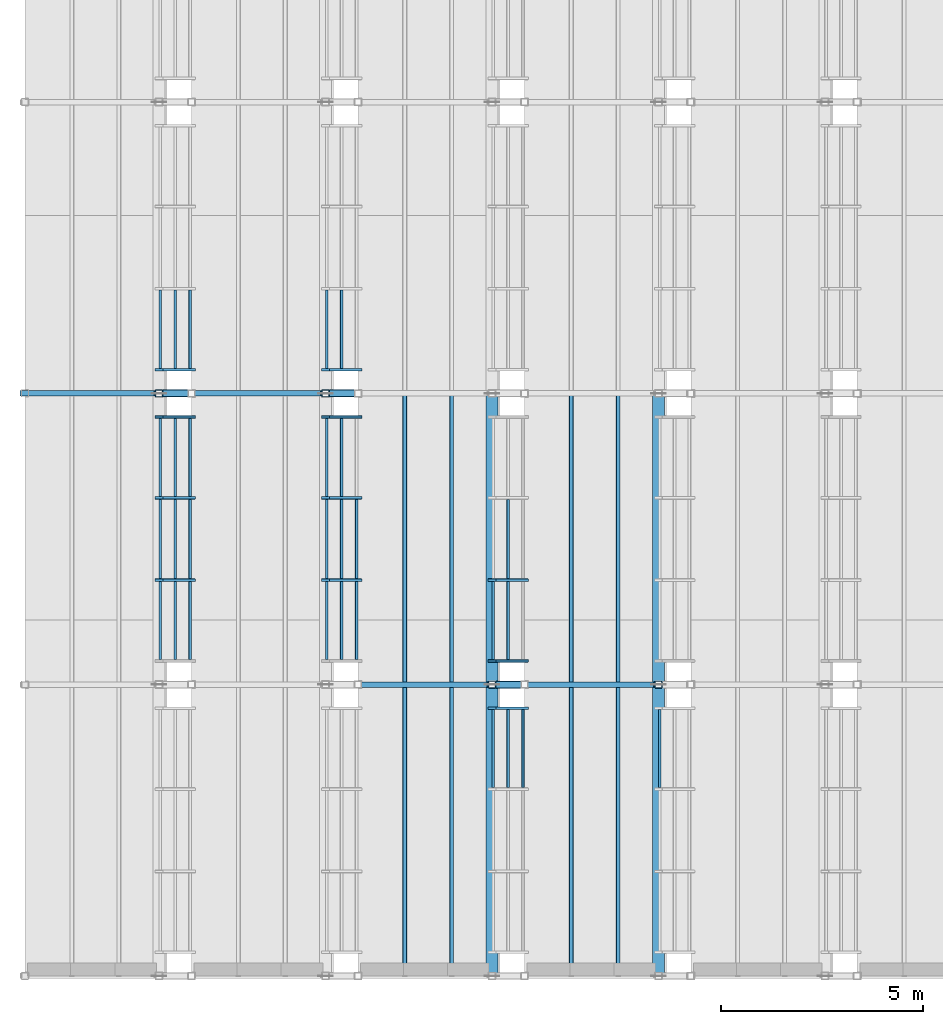
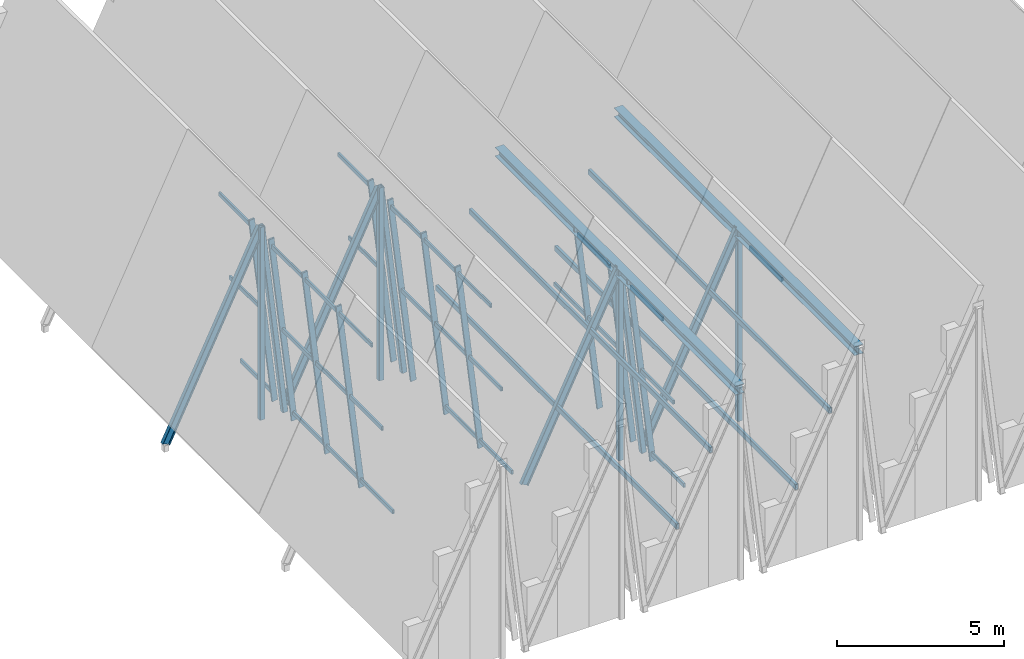
# One storey, part 2 of 28: 55 members, 2 beams, 7 elements without a shape of their own.
"""IFC4 building model written with IfcOpenShell, lengths in metres."""

from ifc_helpers import new_model, si_unit, direction, frame, origin, origin_2d, place, context, subcontext, project, spatial, hollow_rectangle, i_section, extrude, material, material_profile, profile_set, type_object, element, aggregate, save


model = new_model("IFC4")

# Units and contexts
model_context = context("Model", 3, precision=1e-05, world=origin(), true_north=direction((0.0, 1.0)))
body_context = subcontext(model_context, "Body", "Model", "MODEL_VIEW")
ifc_project = project(units=[si_unit("LENGTHUNIT", "METRE"), si_unit("AREAUNIT", "SQUARE_METRE"), si_unit("VOLUMEUNIT", "CUBIC_METRE"), si_unit("PLANEANGLEUNIT", "RADIAN"), si_unit("MASSUNIT", "GRAM", prefix="KILO")], contexts=[model_context])

# Site, building, storey
site_placement = place(None, origin())
site = spatial("IfcSite", under=ifc_project, at=site_placement, CompositionType="ELEMENT")
building_placement = place(site_placement, origin())
building = spatial("IfcBuilding", under=site, at=building_placement, Name="Bramveld Media Centre", CompositionType="ELEMENT")
storey_placement = place(building_placement, frame((0.0, 0.0, 33.89990234375)))
storey = spatial("IfcBuildingStorey", under=building, at=storey_placement, Name="ROOF", CompositionType="ELEMENT", Elevation=33.89990234375)

# Curtain wall, members
ifc_material_1 = material(Name="Thermally broken anodized bronze aluminium unitized curtain wall with solar-control triple glazing", Category="aluminium")
curtain_wall_type = type_object("IfcCurtainWallType", Name="CW-CRN-6100x6941", PredefinedType="NOTDEFINED", material=ifc_material_1)
curtain_wall_1_placement = place(storey_placement, origin())
curtain_wall_1 = element("IfcCurtainWall", 1, at=curtain_wall_1_placement, inside=storey, type_object=curtain_wall_type, Name="V7 crown clerestory B1-S2", PredefinedType="NOTDEFINED")
ifc_material_2 = material(Name="Thermally broken anodized bronze aluminium EN AW-6063 T6 curtain-wall framing", Category="aluminium")
ifc_material_profile_1 = material_profile(ifc_material_2, hollow_rectangle(XDim=0.070068359375, YDim=0.199951171875, WallThickness=0.00439453125, InnerFilletRadius=0.00439453125, OuterFilletRadius=0.009033203125, at=origin_2d()), Name="AL-MULL 70x200")
ifc_profile_set_1 = profile_set([ifc_material_profile_1], Name="Thermally broken anodized bronze aluminium EN AW-6063 T6 curtain-wall framing")
member_type_1 = type_object("IfcMemberType", Name="CW-MULL-SLP", PredefinedType="MULLION", material=ifc_profile_set_1)
member_1_placement = place(storey_placement, frame((135.314208984375, 92.9833984375, -0.02001953125), z_axis=(-0.115228868081, 0.0, 0.993338969315), x_axis=(0.0, -1.0, 0.0)))
member_1 = element("IfcMember", 2, at=member_1_placement, type_object=member_type_1, Name="CW-CR-6169 sloped mullion 2", PredefinedType="MULLION", context=body_context, shape_type="SweptSolid", body=[
    extrude(hollow_rectangle(XDim=0.070068359375, YDim=0.199951171875, WallThickness=0.00439453125, InnerFilletRadius=0.00439453125, OuterFilletRadius=0.009033203125, at=origin_2d()), origin(), (0.0, 0.0, 1.0), 6.94091796875),
])
member_2_placement = place(storey_placement, frame((135.314208984375, 95.0166015625, -0.02001953125), z_axis=(-0.115228868081, 0.0, 0.993338969315), x_axis=(0.0, -1.0, 0.0)))
member_2 = element("IfcMember", 3, at=member_2_placement, type_object=member_type_1, Name="CW-CR-6169 sloped mullion 3", PredefinedType="MULLION", context=body_context, shape_type="SweptSolid", body=[
    extrude(hollow_rectangle(XDim=0.070068359375, YDim=0.199951171875, WallThickness=0.00439453125, InnerFilletRadius=0.00439453125, OuterFilletRadius=0.009033203125, at=origin_2d()), origin(), (0.0, 0.0, 1.0), 6.94091796875),
])
member_3_placement = place(storey_placement, frame((135.314208984375, 97.014892578125, -0.02001953125), z_axis=(-0.115228868081, 0.0, 0.993338969315), x_axis=(0.0, -1.0, 0.0)))
member_3 = element("IfcMember", 4, at=member_3_placement, type_object=member_type_1, Name="CW-CR-6169 sloped mullion 4", PredefinedType="MULLION", context=body_context, shape_type="SweptSolid", body=[
    extrude(hollow_rectangle(XDim=0.070068359375, YDim=0.199951171875, WallThickness=0.00439453125, InnerFilletRadius=0.00439453125, OuterFilletRadius=0.009033203125, at=origin_2d()), origin(), (0.0, 0.0, 1.0), 6.94091796875),
])

# Curtain wall, member
curtain_wall_2_placement = place(storey_placement, origin())
curtain_wall_2 = element("IfcCurtainWall", 5, at=curtain_wall_2_placement, inside=storey, type_object=curtain_wall_type, Name="V7 crown clerestory B1-S3", PredefinedType="NOTDEFINED")
member_4_placement = place(storey_placement, frame((135.314208984375, 98.18505859375, -0.02001953125), z_axis=(-0.115228868081, 0.0, 0.993338969315), x_axis=(0.0, -1.0, 0.0)))
member_4 = element("IfcMember", 6, at=member_4_placement, type_object=member_type_1, Name="CW-CR-6169 sloped mullion 1", PredefinedType="MULLION", context=body_context, shape_type="SweptSolid", body=[
    extrude(hollow_rectangle(XDim=0.070068359375, YDim=0.199951171875, WallThickness=0.00439453125, InnerFilletRadius=0.00439453125, OuterFilletRadius=0.009033203125, at=origin_2d()), origin(), (0.0, 0.0, 1.0), 6.94091796875),
])

# Curtain wall, members
curtain_wall_3_placement = place(storey_placement, origin())
curtain_wall_3 = element("IfcCurtainWall", 7, at=curtain_wall_3_placement, inside=storey, type_object=curtain_wall_type, Name="V7 crown clerestory B2-S2", PredefinedType="NOTDEFINED")
member_5_placement = place(storey_placement, frame((139.4287109375, 92.9833984375, -0.02001953125), z_axis=(-0.115263574492, 0.0, 0.993334942703), x_axis=(0.0, -1.0, 0.0)))
member_5 = element("IfcMember", 8, at=member_5_placement, type_object=member_type_1, Name="CW-CR-6169 sloped mullion 2", PredefinedType="MULLION", context=body_context, shape_type="SweptSolid", body=[
    extrude(hollow_rectangle(XDim=0.070068359375, YDim=0.199951171875, WallThickness=0.00439453125, InnerFilletRadius=0.00439453125, OuterFilletRadius=0.009033203125, at=origin_2d()), origin(), (0.0, 0.0, 1.0), 6.94091796875),
])
member_6_placement = place(storey_placement, frame((139.4287109375, 95.0166015625, -0.02001953125), z_axis=(-0.115263574492, 0.0, 0.993334942703), x_axis=(0.0, -1.0, 0.0)))
member_6 = element("IfcMember", 9, at=member_6_placement, type_object=member_type_1, Name="CW-CR-6169 sloped mullion 3", PredefinedType="MULLION", context=body_context, shape_type="SweptSolid", body=[
    extrude(hollow_rectangle(XDim=0.070068359375, YDim=0.199951171875, WallThickness=0.00439453125, InnerFilletRadius=0.00439453125, OuterFilletRadius=0.009033203125, at=origin_2d()), origin(), (0.0, 0.0, 1.0), 6.94091796875),
])
member_7_placement = place(storey_placement, frame((139.4287109375, 97.014892578125, -0.02001953125), z_axis=(-0.115263574492, 0.0, 0.993334942703), x_axis=(0.0, -1.0, 0.0)))
member_7 = element("IfcMember", 10, at=member_7_placement, type_object=member_type_1, Name="CW-CR-6169 sloped mullion 4", PredefinedType="MULLION", context=body_context, shape_type="SweptSolid", body=[
    extrude(hollow_rectangle(XDim=0.070068359375, YDim=0.199951171875, WallThickness=0.00439453125, InnerFilletRadius=0.00439453125, OuterFilletRadius=0.009033203125, at=origin_2d()), origin(), (0.0, 0.0, 1.0), 6.94091796875),
])

# Curtain wall, member
curtain_wall_4_placement = place(storey_placement, origin())
curtain_wall_4 = element("IfcCurtainWall", 11, at=curtain_wall_4_placement, inside=storey, type_object=curtain_wall_type, Name="V7 crown clerestory B2-S3", PredefinedType="NOTDEFINED")
member_8_placement = place(storey_placement, frame((139.4287109375, 98.18505859375, -0.02001953125), z_axis=(-0.115263574492, 0.0, 0.993334942703), x_axis=(0.0, -1.0, 0.0)))
member_8 = element("IfcMember", 12, at=member_8_placement, type_object=member_type_1, Name="CW-CR-6169 sloped mullion 1", PredefinedType="MULLION", context=body_context, shape_type="SweptSolid", body=[
    extrude(hollow_rectangle(XDim=0.070068359375, YDim=0.199951171875, WallThickness=0.00439453125, InnerFilletRadius=0.00439453125, OuterFilletRadius=0.009033203125, at=origin_2d()), origin(), (0.0, 0.0, 1.0), 6.94091796875),
])

curtain_wall_5_placement = place(storey_placement, origin())
curtain_wall_5 = element("IfcCurtainWall", 13, at=curtain_wall_5_placement, inside=storey, type_object=curtain_wall_type, Name="V7 crown clerestory B3-S1", PredefinedType="NOTDEFINED")
member_9_placement = place(storey_placement, frame((143.54296875, 89.81494140625, -0.02001953125), z_axis=(-0.115263574492, 0.0, 0.993334942703), x_axis=(0.0, -1.0, 0.0)))
member_9 = element("IfcMember", 14, at=member_9_placement, type_object=member_type_1, Name="CW-CR-6169 sloped mullion 4", PredefinedType="MULLION", context=body_context, shape_type="SweptSolid", body=[
    extrude(hollow_rectangle(XDim=0.070068359375, YDim=0.199951171875, WallThickness=0.00439453125, InnerFilletRadius=0.00439453125, OuterFilletRadius=0.009033203125, at=origin_2d()), origin(), (0.0, 0.0, 1.0), 6.94091796875),
])

# Curtain wall, members
curtain_wall_6_placement = place(storey_placement, origin())
curtain_wall_6 = element("IfcCurtainWall", 15, at=curtain_wall_6_placement, inside=storey, type_object=curtain_wall_type, Name="V7 crown clerestory B3-S2", PredefinedType="NOTDEFINED")
member_10_placement = place(storey_placement, frame((143.54296875, 90.985107421875, -0.02001953125), z_axis=(-0.115263574492, 0.0, 0.993334942703), x_axis=(0.0, -1.0, 0.0)))
member_10 = element("IfcMember", 16, at=member_10_placement, type_object=member_type_1, Name="CW-CR-6169 sloped mullion 1", PredefinedType="MULLION", context=body_context, shape_type="SweptSolid", body=[
    extrude(hollow_rectangle(XDim=0.070068359375, YDim=0.199951171875, WallThickness=0.00439453125, InnerFilletRadius=0.00439453125, OuterFilletRadius=0.009033203125, at=origin_2d()), origin(), (0.0, 0.0, 1.0), 6.94091796875),
])
member_11_placement = place(storey_placement, frame((143.54296875, 92.9833984375, -0.02001953125), z_axis=(-0.115263574492, 0.0, 0.993334942703), x_axis=(0.0, -1.0, 0.0)))
member_11 = element("IfcMember", 17, at=member_11_placement, type_object=member_type_1, Name="CW-CR-6169 sloped mullion 2", PredefinedType="MULLION", context=body_context, shape_type="SweptSolid", body=[
    extrude(hollow_rectangle(XDim=0.070068359375, YDim=0.199951171875, WallThickness=0.00439453125, InnerFilletRadius=0.00439453125, OuterFilletRadius=0.009033203125, at=origin_2d()), origin(), (0.0, 0.0, 1.0), 6.94091796875),
])

# Member
ifc_material_3 = material(Name="Thermally broken anodized bronze aluminium EN AW-6063 T6 curtain-wall framing", Category="aluminium")
ifc_material_profile_2 = material_profile(ifc_material_3, hollow_rectangle(XDim=0.070068359375, YDim=0.14990234375, WallThickness=0.00390625, InnerFilletRadius=0.00390625, OuterFilletRadius=0.008056640625, at=origin_2d()), Name="AL-TRAN 70x150")
ifc_profile_set_2 = profile_set([ifc_material_profile_2], Name="Thermally broken anodized bronze aluminium EN AW-6063 T6 curtain-wall framing")
member_type_2 = type_object("IfcMemberType", Name="CW-TRAN-SLP", PredefinedType="USERDEFINED", material=ifc_profile_set_2)
member_12_placement = place(storey_placement, frame((135.2822265625, 91.02001953125, 0.255859375), z_axis=(0.0, 1.0, 0.0), x_axis=(-1.0, 0.0, 0.0)))
member_12 = element("IfcMember", 18, at=member_12_placement, type_object=member_type_2, Name="CW-CR-6169 transom 1.1", ObjectType="TRANSOM", PredefinedType="USERDEFINED", context=body_context, shape_type="SweptSolid", body=[
    extrude(hollow_rectangle(XDim=0.070068359375, YDim=0.14990234375, WallThickness=0.00390625, InnerFilletRadius=0.00390625, OuterFilletRadius=0.008056640625, at=origin_2d()), origin(), (0.0, 0.0, 1.0), 1.92822265625),
])

member_13_placement = place(storey_placement, frame((134.914306640625, 91.02001953125, 3.427490234375), z_axis=(0.0, 1.0, 0.0), x_axis=(-1.0, 0.0, 0.0)))
member_13 = element("IfcMember", 19, at=member_13_placement, type_object=member_type_2, Name="CW-CR-6169 transom 1.2", ObjectType="TRANSOM", PredefinedType="USERDEFINED", context=body_context, shape_type="SweptSolid", body=[
    extrude(hollow_rectangle(XDim=0.070068359375, YDim=0.14990234375, WallThickness=0.00390625, InnerFilletRadius=0.00390625, OuterFilletRadius=0.008056640625, at=origin_2d()), origin(), (0.0, 0.0, 1.0), 1.92822265625),
])

member_14_placement = place(storey_placement, frame((134.54638671875, 91.02001953125, 6.598876953125), z_axis=(0.0, 1.0, 0.0), x_axis=(-1.0, 0.0, 0.0)))
member_14 = element("IfcMember", 20, at=member_14_placement, type_object=member_type_2, Name="CW-CR-6169 transom 1.3", ObjectType="TRANSOM", PredefinedType="USERDEFINED", context=body_context, shape_type="SweptSolid", body=[
    extrude(hollow_rectangle(XDim=0.070068359375, YDim=0.14990234375, WallThickness=0.00390625, InnerFilletRadius=0.00390625, OuterFilletRadius=0.008056640625, at=origin_2d()), origin(), (0.0, 0.0, 1.0), 1.92822265625),
])

member_15_placement = place(storey_placement, frame((135.2822265625, 93.018310546875, 0.255859375), z_axis=(0.0, 1.0, 0.0), x_axis=(-1.0, 0.0, 0.0)))
member_15 = element("IfcMember", 21, at=member_15_placement, type_object=member_type_2, Name="CW-CR-6169 transom 2.1", ObjectType="TRANSOM", PredefinedType="USERDEFINED", context=body_context, shape_type="SweptSolid", body=[
    extrude(hollow_rectangle(XDim=0.070068359375, YDim=0.14990234375, WallThickness=0.00390625, InnerFilletRadius=0.00390625, OuterFilletRadius=0.008056640625, at=origin_2d()), origin(), (0.0, 0.0, 1.0), 1.96337890625),
])

member_16_placement = place(storey_placement, frame((134.914306640625, 93.018310546875, 3.427490234375), z_axis=(0.0, 1.0, 0.0), x_axis=(-1.0, 0.0, 0.0)))
member_16 = element("IfcMember", 22, at=member_16_placement, type_object=member_type_2, Name="CW-CR-6169 transom 2.2", ObjectType="TRANSOM", PredefinedType="USERDEFINED", context=body_context, shape_type="SweptSolid", body=[
    extrude(hollow_rectangle(XDim=0.070068359375, YDim=0.14990234375, WallThickness=0.00390625, InnerFilletRadius=0.00390625, OuterFilletRadius=0.008056640625, at=origin_2d()), origin(), (0.0, 0.0, 1.0), 1.96337890625),
])

member_17_placement = place(storey_placement, frame((134.54638671875, 93.018310546875, 6.598876953125), z_axis=(0.0, 1.0, 0.0), x_axis=(-1.0, 0.0, 0.0)))
member_17 = element("IfcMember", 23, at=member_17_placement, type_object=member_type_2, Name="CW-CR-6169 transom 2.3", ObjectType="TRANSOM", PredefinedType="USERDEFINED", context=body_context, shape_type="SweptSolid", body=[
    extrude(hollow_rectangle(XDim=0.070068359375, YDim=0.14990234375, WallThickness=0.00390625, InnerFilletRadius=0.00390625, OuterFilletRadius=0.008056640625, at=origin_2d()), origin(), (0.0, 0.0, 1.0), 1.96337890625),
])

member_18_placement = place(storey_placement, frame((135.2822265625, 95.0517578125, 0.255859375), z_axis=(0.0, 1.0, 0.0), x_axis=(-1.0, 0.0, 0.0)))
member_18 = element("IfcMember", 24, at=member_18_placement, type_object=member_type_2, Name="CW-CR-6169 transom 3.1", ObjectType="TRANSOM", PredefinedType="USERDEFINED", context=body_context, shape_type="SweptSolid", body=[
    extrude(hollow_rectangle(XDim=0.070068359375, YDim=0.14990234375, WallThickness=0.00390625, InnerFilletRadius=0.00390625, OuterFilletRadius=0.008056640625, at=origin_2d()), origin(), (0.0, 0.0, 1.0), 1.92822265625),
])

member_19_placement = place(storey_placement, frame((134.914306640625, 95.0517578125, 3.427490234375), z_axis=(0.0, 1.0, 0.0), x_axis=(-1.0, 0.0, 0.0)))
member_19 = element("IfcMember", 25, at=member_19_placement, type_object=member_type_2, Name="CW-CR-6169 transom 3.2", ObjectType="TRANSOM", PredefinedType="USERDEFINED", context=body_context, shape_type="SweptSolid", body=[
    extrude(hollow_rectangle(XDim=0.070068359375, YDim=0.14990234375, WallThickness=0.00390625, InnerFilletRadius=0.00390625, OuterFilletRadius=0.008056640625, at=origin_2d()), origin(), (0.0, 0.0, 1.0), 1.92822265625),
])

member_20_placement = place(storey_placement, frame((134.54638671875, 95.0517578125, 6.598876953125), z_axis=(0.0, 1.0, 0.0), x_axis=(-1.0, 0.0, 0.0)))
member_20 = element("IfcMember", 26, at=member_20_placement, type_object=member_type_2, Name="CW-CR-6169 transom 3.3", ObjectType="TRANSOM", PredefinedType="USERDEFINED", context=body_context, shape_type="SweptSolid", body=[
    extrude(hollow_rectangle(XDim=0.070068359375, YDim=0.14990234375, WallThickness=0.00390625, InnerFilletRadius=0.00390625, OuterFilletRadius=0.008056640625, at=origin_2d()), origin(), (0.0, 0.0, 1.0), 1.92822265625),
])

aggregate(curtain_wall_1, [member_1, member_2, member_3, member_12, member_13, member_14, member_15, member_16, member_17, member_18, member_19, member_20])

member_21_placement = place(storey_placement, frame((135.2822265625, 98.219970703125, 0.255859375), z_axis=(0.0, 1.0, 0.0), x_axis=(-1.0, 0.0, 0.0)))
member_21 = element("IfcMember", 27, at=member_21_placement, type_object=member_type_2, Name="CW-CR-6169 transom 1.1", ObjectType="TRANSOM", PredefinedType="USERDEFINED", context=body_context, shape_type="SweptSolid", body=[
    extrude(hollow_rectangle(XDim=0.070068359375, YDim=0.14990234375, WallThickness=0.00390625, InnerFilletRadius=0.00390625, OuterFilletRadius=0.008056640625, at=origin_2d()), origin(), (0.0, 0.0, 1.0), 1.92822265625),
])

member_22_placement = place(storey_placement, frame((134.914306640625, 98.219970703125, 3.427490234375), z_axis=(0.0, 1.0, 0.0), x_axis=(-1.0, 0.0, 0.0)))
member_22 = element("IfcMember", 28, at=member_22_placement, type_object=member_type_2, Name="CW-CR-6169 transom 1.2", ObjectType="TRANSOM", PredefinedType="USERDEFINED", context=body_context, shape_type="SweptSolid", body=[
    extrude(hollow_rectangle(XDim=0.070068359375, YDim=0.14990234375, WallThickness=0.00390625, InnerFilletRadius=0.00390625, OuterFilletRadius=0.008056640625, at=origin_2d()), origin(), (0.0, 0.0, 1.0), 1.92822265625),
])

member_23_placement = place(storey_placement, frame((134.54638671875, 98.219970703125, 6.598876953125), z_axis=(0.0, 1.0, 0.0), x_axis=(-1.0, 0.0, 0.0)))
member_23 = element("IfcMember", 29, at=member_23_placement, type_object=member_type_2, Name="CW-CR-6169 transom 1.3", ObjectType="TRANSOM", PredefinedType="USERDEFINED", context=body_context, shape_type="SweptSolid", body=[
    extrude(hollow_rectangle(XDim=0.070068359375, YDim=0.14990234375, WallThickness=0.00390625, InnerFilletRadius=0.00390625, OuterFilletRadius=0.008056640625, at=origin_2d()), origin(), (0.0, 0.0, 1.0), 1.92822265625),
])

aggregate(curtain_wall_2, [member_4, member_21, member_22, member_23])

member_24_placement = place(storey_placement, frame((139.396484375, 91.02001953125, 0.255859375), z_axis=(0.0, 1.0, 0.0), x_axis=(-1.0, 0.0, 0.0)))
member_24 = element("IfcMember", 30, at=member_24_placement, type_object=member_type_2, Name="CW-CR-6169 transom 1.1", ObjectType="TRANSOM", PredefinedType="USERDEFINED", context=body_context, shape_type="SweptSolid", body=[
    extrude(hollow_rectangle(XDim=0.070068359375, YDim=0.14990234375, WallThickness=0.00390625, InnerFilletRadius=0.00390625, OuterFilletRadius=0.008056640625, at=origin_2d()), origin(), (0.0, 0.0, 1.0), 1.92822265625),
])

member_25_placement = place(storey_placement, frame((139.028564453125, 91.02001953125, 3.427490234375), z_axis=(0.0, 1.0, 0.0), x_axis=(-1.0, 0.0, 0.0)))
member_25 = element("IfcMember", 31, at=member_25_placement, type_object=member_type_2, Name="CW-CR-6169 transom 1.2", ObjectType="TRANSOM", PredefinedType="USERDEFINED", context=body_context, shape_type="SweptSolid", body=[
    extrude(hollow_rectangle(XDim=0.070068359375, YDim=0.14990234375, WallThickness=0.00390625, InnerFilletRadius=0.00390625, OuterFilletRadius=0.008056640625, at=origin_2d()), origin(), (0.0, 0.0, 1.0), 1.92822265625),
])

member_26_placement = place(storey_placement, frame((138.66064453125, 91.02001953125, 6.598876953125), z_axis=(0.0, 1.0, 0.0), x_axis=(-1.0, 0.0, 0.0)))
member_26 = element("IfcMember", 32, at=member_26_placement, type_object=member_type_2, Name="CW-CR-6169 transom 1.3", ObjectType="TRANSOM", PredefinedType="USERDEFINED", context=body_context, shape_type="SweptSolid", body=[
    extrude(hollow_rectangle(XDim=0.070068359375, YDim=0.14990234375, WallThickness=0.00390625, InnerFilletRadius=0.00390625, OuterFilletRadius=0.008056640625, at=origin_2d()), origin(), (0.0, 0.0, 1.0), 1.92822265625),
])

member_27_placement = place(storey_placement, frame((139.396484375, 93.018310546875, 0.255859375), z_axis=(0.0, 1.0, 0.0), x_axis=(-1.0, 0.0, 0.0)))
member_27 = element("IfcMember", 33, at=member_27_placement, type_object=member_type_2, Name="CW-CR-6169 transom 2.1", ObjectType="TRANSOM", PredefinedType="USERDEFINED", context=body_context, shape_type="SweptSolid", body=[
    extrude(hollow_rectangle(XDim=0.070068359375, YDim=0.14990234375, WallThickness=0.00390625, InnerFilletRadius=0.00390625, OuterFilletRadius=0.008056640625, at=origin_2d()), origin(), (0.0, 0.0, 1.0), 1.96337890625),
])

member_28_placement = place(storey_placement, frame((139.028564453125, 93.018310546875, 3.427490234375), z_axis=(0.0, 1.0, 0.0), x_axis=(-1.0, 0.0, 0.0)))
member_28 = element("IfcMember", 34, at=member_28_placement, type_object=member_type_2, Name="CW-CR-6169 transom 2.2", ObjectType="TRANSOM", PredefinedType="USERDEFINED", context=body_context, shape_type="SweptSolid", body=[
    extrude(hollow_rectangle(XDim=0.070068359375, YDim=0.14990234375, WallThickness=0.00390625, InnerFilletRadius=0.00390625, OuterFilletRadius=0.008056640625, at=origin_2d()), origin(), (0.0, 0.0, 1.0), 1.96337890625),
])

member_29_placement = place(storey_placement, frame((138.66064453125, 93.018310546875, 6.598876953125), z_axis=(0.0, 1.0, 0.0), x_axis=(-1.0, 0.0, 0.0)))
member_29 = element("IfcMember", 35, at=member_29_placement, type_object=member_type_2, Name="CW-CR-6169 transom 2.3", ObjectType="TRANSOM", PredefinedType="USERDEFINED", context=body_context, shape_type="SweptSolid", body=[
    extrude(hollow_rectangle(XDim=0.070068359375, YDim=0.14990234375, WallThickness=0.00390625, InnerFilletRadius=0.00390625, OuterFilletRadius=0.008056640625, at=origin_2d()), origin(), (0.0, 0.0, 1.0), 1.96337890625),
])

member_30_placement = place(storey_placement, frame((139.028564453125, 95.0517578125, 3.427490234375), z_axis=(0.0, 1.0, 0.0), x_axis=(-1.0, 0.0, 0.0)))
member_30 = element("IfcMember", 36, at=member_30_placement, type_object=member_type_2, Name="CW-CR-6169 transom 3.2", ObjectType="TRANSOM", PredefinedType="USERDEFINED", context=body_context, shape_type="SweptSolid", body=[
    extrude(hollow_rectangle(XDim=0.070068359375, YDim=0.14990234375, WallThickness=0.00390625, InnerFilletRadius=0.00390625, OuterFilletRadius=0.008056640625, at=origin_2d()), origin(), (0.0, 0.0, 1.0), 1.92822265625),
])

member_31_placement = place(storey_placement, frame((138.66064453125, 95.0517578125, 6.598876953125), z_axis=(0.0, 1.0, 0.0), x_axis=(-1.0, 0.0, 0.0)))
member_31 = element("IfcMember", 37, at=member_31_placement, type_object=member_type_2, Name="CW-CR-6169 transom 3.3", ObjectType="TRANSOM", PredefinedType="USERDEFINED", context=body_context, shape_type="SweptSolid", body=[
    extrude(hollow_rectangle(XDim=0.070068359375, YDim=0.14990234375, WallThickness=0.00390625, InnerFilletRadius=0.00390625, OuterFilletRadius=0.008056640625, at=origin_2d()), origin(), (0.0, 0.0, 1.0), 1.92822265625),
])

aggregate(curtain_wall_3, [member_5, member_6, member_7, member_24, member_25, member_26, member_27, member_28, member_29, member_30, member_31])

member_32_placement = place(storey_placement, frame((139.028564453125, 98.219970703125, 3.427490234375), z_axis=(0.0, 1.0, 0.0), x_axis=(-1.0, 0.0, 0.0)))
member_32 = element("IfcMember", 38, at=member_32_placement, type_object=member_type_2, Name="CW-CR-6169 transom 1.2", ObjectType="TRANSOM", PredefinedType="USERDEFINED", context=body_context, shape_type="SweptSolid", body=[
    extrude(hollow_rectangle(XDim=0.070068359375, YDim=0.14990234375, WallThickness=0.00390625, InnerFilletRadius=0.00390625, OuterFilletRadius=0.008056640625, at=origin_2d()), origin(), (0.0, 0.0, 1.0), 1.92822265625),
])

member_33_placement = place(storey_placement, frame((138.66064453125, 98.219970703125, 6.598876953125), z_axis=(0.0, 1.0, 0.0), x_axis=(-1.0, 0.0, 0.0)))
member_33 = element("IfcMember", 39, at=member_33_placement, type_object=member_type_2, Name="CW-CR-6169 transom 1.3", ObjectType="TRANSOM", PredefinedType="USERDEFINED", context=body_context, shape_type="SweptSolid", body=[
    extrude(hollow_rectangle(XDim=0.070068359375, YDim=0.14990234375, WallThickness=0.00390625, InnerFilletRadius=0.00390625, OuterFilletRadius=0.008056640625, at=origin_2d()), origin(), (0.0, 0.0, 1.0), 1.92822265625),
])

aggregate(curtain_wall_4, [member_8, member_32, member_33])

member_34_placement = place(storey_placement, frame((143.510986328125, 87.851806640625, 0.255859375), z_axis=(0.0, 1.0, 0.0), x_axis=(-1.0, 0.0, 0.0)))
member_34 = element("IfcMember", 40, at=member_34_placement, type_object=member_type_2, Name="CW-CR-6169 transom 3.1", ObjectType="TRANSOM", PredefinedType="USERDEFINED", context=body_context, shape_type="SweptSolid", body=[
    extrude(hollow_rectangle(XDim=0.070068359375, YDim=0.14990234375, WallThickness=0.00390625, InnerFilletRadius=0.00390625, OuterFilletRadius=0.008056640625, at=origin_2d()), origin(), (0.0, 0.0, 1.0), 1.92822265625),
])

member_35_placement = place(storey_placement, frame((143.142822265625, 87.851806640625, 3.427490234375), z_axis=(0.0, 1.0, 0.0), x_axis=(-1.0, 0.0, 0.0)))
member_35 = element("IfcMember", 41, at=member_35_placement, type_object=member_type_2, Name="CW-CR-6169 transom 3.2", ObjectType="TRANSOM", PredefinedType="USERDEFINED", context=body_context, shape_type="SweptSolid", body=[
    extrude(hollow_rectangle(XDim=0.070068359375, YDim=0.14990234375, WallThickness=0.00390625, InnerFilletRadius=0.00390625, OuterFilletRadius=0.008056640625, at=origin_2d()), origin(), (0.0, 0.0, 1.0), 1.92822265625),
])

member_36_placement = place(storey_placement, frame((142.77490234375, 87.851806640625, 6.598876953125), z_axis=(0.0, 1.0, 0.0), x_axis=(-1.0, 0.0, 0.0)))
member_36 = element("IfcMember", 42, at=member_36_placement, type_object=member_type_2, Name="CW-CR-6169 transom 3.3", ObjectType="TRANSOM", PredefinedType="USERDEFINED", context=body_context, shape_type="SweptSolid", body=[
    extrude(hollow_rectangle(XDim=0.070068359375, YDim=0.14990234375, WallThickness=0.00390625, InnerFilletRadius=0.00390625, OuterFilletRadius=0.008056640625, at=origin_2d()), origin(), (0.0, 0.0, 1.0), 1.92822265625),
])

aggregate(curtain_wall_5, [member_9, member_34, member_35, member_36])

member_37_placement = place(storey_placement, frame((143.142822265625, 91.02001953125, 3.427490234375), z_axis=(0.0, 1.0, 0.0), x_axis=(-1.0, 0.0, 0.0)))
member_37 = element("IfcMember", 43, at=member_37_placement, type_object=member_type_2, Name="CW-CR-6169 transom 1.2", ObjectType="TRANSOM", PredefinedType="USERDEFINED", context=body_context, shape_type="SweptSolid", body=[
    extrude(hollow_rectangle(XDim=0.070068359375, YDim=0.14990234375, WallThickness=0.00390625, InnerFilletRadius=0.00390625, OuterFilletRadius=0.008056640625, at=origin_2d()), origin(), (0.0, 0.0, 1.0), 1.92822265625),
])

member_38_placement = place(storey_placement, frame((142.77490234375, 91.02001953125, 6.598876953125), z_axis=(0.0, 1.0, 0.0), x_axis=(-1.0, 0.0, 0.0)))
member_38 = element("IfcMember", 44, at=member_38_placement, type_object=member_type_2, Name="CW-CR-6169 transom 1.3", ObjectType="TRANSOM", PredefinedType="USERDEFINED", context=body_context, shape_type="SweptSolid", body=[
    extrude(hollow_rectangle(XDim=0.070068359375, YDim=0.14990234375, WallThickness=0.00390625, InnerFilletRadius=0.00390625, OuterFilletRadius=0.008056640625, at=origin_2d()), origin(), (0.0, 0.0, 1.0), 1.92822265625),
])

member_39_placement = place(storey_placement, frame((143.142822265625, 93.018310546875, 3.427490234375), z_axis=(0.0, 1.0, 0.0), x_axis=(-1.0, 0.0, 0.0)))
member_39 = element("IfcMember", 45, at=member_39_placement, type_object=member_type_2, Name="CW-CR-6169 transom 2.2", ObjectType="TRANSOM", PredefinedType="USERDEFINED", context=body_context, shape_type="SweptSolid", body=[
    extrude(hollow_rectangle(XDim=0.070068359375, YDim=0.14990234375, WallThickness=0.00390625, InnerFilletRadius=0.00390625, OuterFilletRadius=0.008056640625, at=origin_2d()), origin(), (0.0, 0.0, 1.0), 1.96337890625),
])

aggregate(curtain_wall_6, [member_10, member_11, member_37, member_38, member_39])

# Curtain wall, member
curtain_wall_7_placement = place(storey_placement, origin())
curtain_wall_7 = element("IfcCurtainWall", 46, at=curtain_wall_7_placement, inside=storey, type_object=curtain_wall_type, Name="V7 crown clerestory B4-S1", PredefinedType="NOTDEFINED")
member_40_placement = place(storey_placement, frame((146.88916015625, 87.851806640625, 6.598876953125), z_axis=(0.0, 1.0, 0.0), x_axis=(-1.0, 0.0, 0.0)))
member_40 = element("IfcMember", 47, at=member_40_placement, type_object=member_type_2, Name="CW-CR-6169 transom 3.3", ObjectType="TRANSOM", PredefinedType="USERDEFINED", context=body_context, shape_type="SweptSolid", body=[
    extrude(hollow_rectangle(XDim=0.070068359375, YDim=0.14990234375, WallThickness=0.00390625, InnerFilletRadius=0.00390625, OuterFilletRadius=0.008056640625, at=origin_2d()), origin(), (0.0, 0.0, 1.0), 1.92822265625),
])
aggregate(curtain_wall_7, [member_40])

# Members
ifc_material_4 = material(Name="Steel S355J2H", Category="steel")
ifc_material_profile_3 = material_profile(ifc_material_4, hollow_rectangle(XDim=0.179931640625, YDim=0.179931640625, WallThickness=0.010009765625, InnerFilletRadius=0.010009765625, OuterFilletRadius=0.02001953125, at=origin_2d()), Name="SHS 180x180x10")
ifc_profile_set_3 = profile_set([ifc_material_profile_3], Name="Steel S355J2H")
member_type_3 = type_object("IfcMemberType", Name="MEM-POST-SHS180", PredefinedType="POST", material=ifc_profile_set_3)
for number, where, z_axis, x_axis, name in (
    (48, (134.514404296875, 97.60009765625, -0.0498046875), (0.0, 0.0, 1.0), (1.0, 0.0, 0.0), "CRN-FR-B01-F3 gable kingpost"),
    (49, (138.628662109375, 97.60009765625, -0.0498046875), (0.0, 0.0, 1.0), (1.0, 0.0, 0.0), "CRN-FR-B02-F3 gable kingpost"),
    (50, (142.742919921875, 90.39990234375, -0.0498046875), (0.0, 0.0, 1.0), (1.0, 0.0, 0.0), "CRN-FR-B03-F2 gable kingpost"),
    (51, (146.857177734375, 90.39990234375, -0.0498046875), (0.0, 0.0, 1.0), (1.0, 0.0, 0.0), "CRN-FR-B04-F2 gable kingpost"),
):
    element("IfcMember", number, at=place(storey_placement, frame(where, z_axis=z_axis, x_axis=x_axis)), inside=storey, type_object=member_type_3, Name=name, PredefinedType="POST", context=body_context, shape_type="SweptSolid", body=[
        extrude(hollow_rectangle(XDim=0.179931640625, YDim=0.179931640625, WallThickness=0.010009765625, InnerFilletRadius=0.010009765625, OuterFilletRadius=0.02001953125, at=origin_2d()), origin(), (0.0, 0.0, 1.0), 7.044677734375),
    ])
ifc_material_5 = material(Name="Steel S355J2H", Category="steel")
ifc_material_profile_4 = material_profile(ifc_material_5, hollow_rectangle(XDim=0.10009765625, YDim=0.199951171875, WallThickness=0.008056640625, InnerFilletRadius=0.008056640625, OuterFilletRadius=0.01611328125, at=origin_2d()), Name="RHS 200x100x8")
ifc_profile_set_4 = profile_set([ifc_material_profile_4], Name="Steel S355J2H")
member_type_4 = type_object("IfcMemberType", Name="MEM-PURLIN-RHS200", PredefinedType="PURLIN", material=ifc_profile_set_4)
for number, where, z_axis, x_axis, name in (
    (52, (140.588623046875, 83.199951171875, 2.61083984375), (0.0, 1.0, 0.0), (-1.0, 0.0, 0.0), "V7 crown gable purlin"),
    (53, (141.74853515625, 83.199951171875, 4.997802734375), (0.0, 1.0, 0.0), (-1.0, 0.0, 0.0), "V7 crown gable purlin"),
    (54, (144.702880859375, 83.199951171875, 2.61083984375), (0.0, 1.0, 0.0), (-1.0, 0.0, 0.0), "V7 crown gable purlin"),
    (55, (145.86279296875, 83.199951171875, 4.997802734375), (0.0, 1.0, 0.0), (-1.0, 0.0, 0.0), "V7 crown gable purlin"),
):
    element("IfcMember", number, at=place(storey_placement, frame(where, z_axis=z_axis, x_axis=x_axis)), inside=storey, type_object=member_type_4, Name=name, PredefinedType="PURLIN", context=body_context, shape_type="SweptSolid", body=[
        extrude(hollow_rectangle(XDim=0.10009765625, YDim=0.199951171875, WallThickness=0.008056640625, InnerFilletRadius=0.008056640625, OuterFilletRadius=0.01611328125, at=origin_2d()), origin(), (0.0, 0.0, 1.0), 14.400146484375),
    ])
ifc_material_6 = material(Name="Steel S355J2", Category="steel")
ifc_material_profile_5 = material_profile(ifc_material_6, i_section(OverallWidth=0.135009765625, OverallDepth=0.27001953125, WebThickness=0.006591796875, FlangeThickness=0.01025390625, FilletRadius=0.014892578125, at=origin_2d()), Name="IPE 270")
ifc_profile_set_5 = profile_set([ifc_material_profile_5], Name="Steel S355J2")
member_type_5 = type_object("IfcMemberType", Name="MEM-RAFTER-IPE270", PredefinedType="RAFTER", material=ifc_profile_set_5)
for number, where, z_axis, x_axis, name in (
    (56, (131.199951171875, 97.60009765625, 0.1748046875), (0.437101193692, 0.0, 0.899412333956), (0.0, 1.0, 0.0), "CRN-FR-B01-F3 gable rafter"),
    (57, (135.314208984375, 97.60009765625, 0.1748046875), (0.437101193692, 0.0, 0.899412333956), (0.0, 1.0, 0.0), "CRN-FR-B02-F3 gable rafter"),
    (58, (139.4287109375, 90.39990234375, 0.1748046875), (0.437075147934, 0.0, 0.899424991347), (0.0, 1.0, 0.0), "CRN-FR-B03-F2 gable rafter"),
    (59, (143.54296875, 90.39990234375, 0.1748046875), (0.437075147934, 0.0, 0.899424991347), (0.0, 1.0, 0.0), "CRN-FR-B04-F2 gable rafter"),
):
    element("IfcMember", number, at=place(storey_placement, frame(where, z_axis=z_axis, x_axis=x_axis)), inside=storey, type_object=member_type_5, Name=name, PredefinedType="RAFTER", context=body_context, shape_type="SweptSolid", body=[
        extrude(i_section(OverallWidth=0.135009765625, OverallDepth=0.27001953125, WebThickness=0.006591796875, FlangeThickness=0.01025390625, FilletRadius=0.014892578125, at=origin_2d()), origin(), (0.0, 0.0, 1.0), 7.582763671875),
    ])
ifc_material_7 = material(Name="Steel S355J2H", Category="steel")
ifc_material_profile_6 = material_profile(ifc_material_7, hollow_rectangle(XDim=0.179931640625, YDim=0.179931640625, WallThickness=0.010009765625, InnerFilletRadius=0.010009765625, OuterFilletRadius=0.02001953125, at=origin_2d()), Name="SHS 180x180x10")
ifc_profile_set_6 = profile_set([ifc_material_profile_6], Name="Steel S355J2H")
member_type_6 = type_object("IfcMemberType", Name="MEM-STRUT-SHS180", PredefinedType="STRUT", material=ifc_profile_set_6)
for number, where, z_axis, x_axis, name in (
    (60, (135.314208984375, 97.60009765625, -0.0498046875), (-0.112808472616, 0.0, 0.993616751321), (0.0, -1.0, 0.0), "CRN-FR-B01-F3 gable strut"),
    (61, (139.4287109375, 97.60009765625, -0.0498046875), (-0.112842469029, 0.0, 0.993612891011), (0.0, -1.0, 0.0), "CRN-FR-B02-F3 gable strut"),
    (62, (143.54296875, 90.39990234375, -0.0498046875), (-0.112842469029, 0.0, 0.993612891011), (0.0, -1.0, 0.0), "CRN-FR-B03-F2 gable strut"),
):
    element("IfcMember", number, at=place(storey_placement, frame(where, z_axis=z_axis, x_axis=x_axis)), inside=storey, type_object=member_type_6, Name=name, PredefinedType="STRUT", context=body_context, shape_type="SweptSolid", body=[
        extrude(hollow_rectangle(XDim=0.179931640625, YDim=0.179931640625, WallThickness=0.010009765625, InnerFilletRadius=0.010009765625, OuterFilletRadius=0.02001953125, at=origin_2d()), origin(), (0.0, 0.0, 1.0), 7.08984375),
    ])

# Beams
ifc_material_8 = material(Name="Steel S355J2", Category="steel")
ifc_material_profile_7 = material_profile(ifc_material_8, i_section(OverallWidth=0.300048828125, OverallDepth=0.330078125, WebThickness=0.009521484375, FlangeThickness=0.0166015625, FilletRadius=0.027099609375, at=origin_2d()), Name="HEA 340")
ifc_profile_set_7 = profile_set([ifc_material_profile_7], Name="Steel S355J2")
beam_type = type_object("IfcBeamType", Name="SBM-INT-HEA-340", PredefinedType="BEAM", material=ifc_profile_set_7)
for number, where, z_axis, x_axis, name in (
    (63, (142.742919921875, 83.199951171875, 6.85986328125), (0.0, 1.0, 0.0), (-1.0, 0.0, 0.0), "V7 crown ridge tie beam"),
    (64, (146.857177734375, 83.199951171875, 6.85986328125), (0.0, 1.0, 0.0), (-1.0, 0.0, 0.0), "V7 crown ridge tie beam"),
):
    element("IfcBeam", number, at=place(storey_placement, frame(where, z_axis=z_axis, x_axis=x_axis)), inside=storey, type_object=beam_type, Name=name, PredefinedType="BEAM", context=body_context, shape_type="SweptSolid", body=[
        extrude(i_section(OverallWidth=0.300048828125, OverallDepth=0.330078125, WebThickness=0.009521484375, FlangeThickness=0.0166015625, FilletRadius=0.027099609375, at=origin_2d()), origin(), (0.0, 0.0, 1.0), 14.400146484375),
    ])

save(model, "model.ifc")
